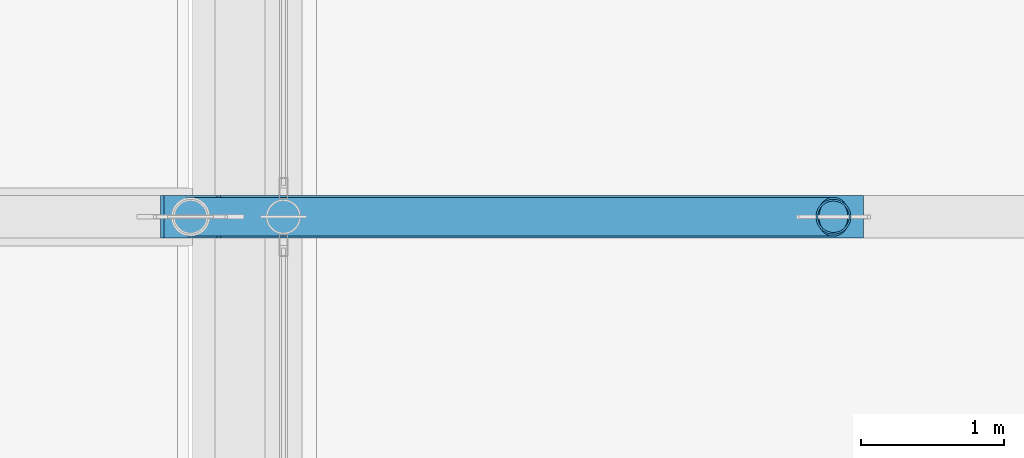
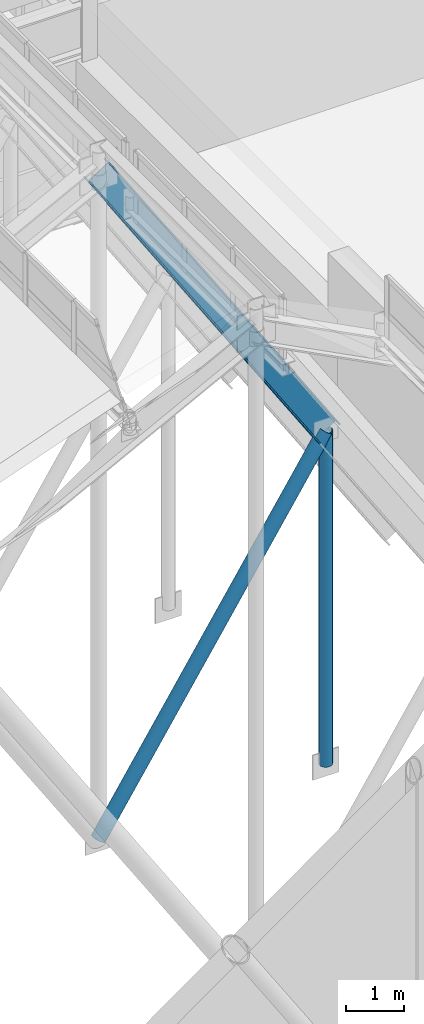
# One storey, part 15 of 84: 3 members.
"""IFC4 building model written with IfcOpenShell, lengths in metres."""

import ifcopenshell
import ifcopenshell.guid

model = None  # the IFC model being written
_history = None  # IfcOwnerHistory: only IFC2X3 demands one
_inside = {}  # id of a spatial element -> (the spatial element, [elements in it])
_under = {}  # id of a project, library or spatial element -> (it, [spatial elements below it])
_declared = {}  # id of a project -> (the project, [libraries it declares])
_typed = {}  # id of a type object -> (the type object, [elements of that type])
_made_of = {}  # id of a material, layer set ... -> (it, [elements and type objects made of it])


def new_model(schema):
    """Start an empty IFC model of exactly this schema.

    Asked for "IFC4X3", IfcOpenShell would pick the latest addendum, in which some entities
    have other attributes; the version numbers below select the first issue.
    IFC2X3 requires an IfcOwnerHistory on every rooted entity: one is made here for all.
    """
    global model, _history
    if schema == "IFC4X3":
        model = ifcopenshell.file(schema_version=(4, 3, 0, 0))
    else:
        model = ifcopenshell.file(schema=schema)
    _inside.clear()
    _under.clear()
    _declared.clear()
    _typed.clear()
    _made_of.clear()
    _history = None
    if model.schema == "IFC2X3":
        org = make("IfcOrganization", Name="unknown")
        user = make(
            "IfcPersonAndOrganization",
            ThePerson=make("IfcPerson", FamilyName="unknown"),
            TheOrganization=org,
        )
        app = make(
            "IfcApplication",
            ApplicationDeveloper=org,
            Version="unknown",
            ApplicationFullName="unknown",
            ApplicationIdentifier="unknown",
        )
        _history = make(
            "IfcOwnerHistory",
            OwningUser=user,
            OwningApplication=app,
            ChangeAction="ADDED",
            CreationDate=0,
        )
    return model


def make(cls, **values):
    """One entity of the class cls with the attributes given. An attribute that is None is left unset."""
    return model.create_entity(
        cls, **{name: value for name, value in values.items() if value is not None}
    )


def rooted(cls, **values):
    """An entity with a GlobalId (a new one), such as an element, a storey or a relation."""
    return make(cls, GlobalId=ifcopenshell.guid.new(), OwnerHistory=_history, **values)


def si_unit(unit_type, name, prefix=None):
    """IfcSIUnit, for example si_unit("LENGTHUNIT", "METRE", prefix="MILLI")."""
    return make("IfcSIUnit", UnitType=unit_type, Prefix=prefix, Name=name)


def assignment(units):
    """IfcUnitAssignment: the units of a project."""
    return None if units is None else make("IfcUnitAssignment", Units=units)


def point(xyz):
    """IfcCartesianPoint."""
    return None if xyz is None else make("IfcCartesianPoint", Coordinates=xyz)


def direction(xyz):
    """IfcDirection."""
    return None if xyz is None else make("IfcDirection", DirectionRatios=xyz)


def frame(location, z_axis=None, x_axis=None):
    """IfcAxis2Placement3D, a coordinate frame: its origin and axes. An axis left out is left unset."""
    return make(
        "IfcAxis2Placement3D",
        Location=point(location),
        Axis=direction(z_axis),
        RefDirection=direction(x_axis),
    )


def frame_2d(location, x_axis=None):
    """IfcAxis2Placement2D, a coordinate frame in the plane: its origin and x axis."""
    return make(
        "IfcAxis2Placement2D", Location=point(location), RefDirection=direction(x_axis)
    )


def origin():
    """The frame at (0, 0, 0) with its axes left unset."""
    return frame((0.0, 0.0, 0.0))


def origin_2d():
    """The frame at (0, 0) in the plane with its x axis left unset."""
    return frame_2d((0.0, 0.0))


def place(relative_to, where):
    """IfcLocalPlacement: puts the frame where relative to a parent placement (None: the world)."""
    return make(
        "IfcLocalPlacement", PlacementRelTo=relative_to, RelativePlacement=where
    )


def context(
    kind, dimensions, precision=None, world=None, true_north=None, identifier=None
):
    """IfcGeometricRepresentationContext, for example the 3D "Model" context."""
    return make(
        "IfcGeometricRepresentationContext",
        ContextIdentifier=identifier,
        ContextType=kind,
        CoordinateSpaceDimension=dimensions,
        Precision=precision,
        WorldCoordinateSystem=world,
        TrueNorth=true_north,
    )


def subcontext(parent, identifier, kind, view, scale=None):
    """IfcGeometricRepresentationSubContext, for example "Body" below "Model"."""
    return make(
        "IfcGeometricRepresentationSubContext",
        ContextIdentifier=identifier,
        ContextType=kind,
        ParentContext=parent,
        TargetScale=scale,
        TargetView=view,
    )


def project(units=None, contexts=None):
    """IfcProject with its units and contexts."""
    return rooted(
        "IfcProject",
        Name="project",
        RepresentationContexts=contexts,
        UnitsInContext=assignment(units),
    )


def spatial(cls, under=None, at=None, **own):
    """A site, building, storey or space (cls), placed at a placement, below another one or the project."""
    s = rooted(cls, ObjectPlacement=at, **own)
    if under is not None:
        _under.setdefault(under.id(), (under, []))[1].append(s)
    return s


def profile(cls, at=None, kind="AREA", **sizes):
    """A parametric profile (cls). Its sizes go by their IFC names, for example OverallWidth=200.0."""
    return make(cls, ProfileType=kind, Position=at, **sizes)


def hollow_circle(**sizes):
    """IfcCircleHollowProfileDef."""
    return profile("IfcCircleHollowProfileDef", **sizes)


def i_section(**sizes):
    """IfcIShapeProfileDef."""
    return profile("IfcIShapeProfileDef", **sizes)


def extrude(swept, where, along, depth):
    """IfcExtrudedAreaSolid: the profile swept, set in the frame where, extruded along a direction by depth."""
    return make(
        "IfcExtrudedAreaSolid",
        SweptArea=swept,
        Position=where,
        ExtrudedDirection=direction(along),
        Depth=depth,
    )


def shape(context_of_items, identifier, shape_type, items):
    """IfcShapeRepresentation: the items that make up one representation, for example the "Body"."""
    return make(
        "IfcShapeRepresentation",
        ContextOfItems=context_of_items,
        RepresentationIdentifier=identifier,
        RepresentationType=shape_type,
        Items=items,
    )


def material(Name=None, Category=None):
    """IfcMaterial."""
    return make("IfcMaterial", Name=Name, Category=Category)


def material_profile(
    of_material, cross_section, Name=None, Category=None, Priority=None
):
    """IfcMaterialProfile: a cross section and its material."""
    return make(
        "IfcMaterialProfile",
        Name=Name,
        Material=of_material,
        Profile=cross_section,
        Priority=Priority,
        Category=Category,
    )


def profile_set(profiles, Name=None, composite=None):
    """IfcMaterialProfileSet."""
    return make(
        "IfcMaterialProfileSet",
        Name=Name,
        MaterialProfiles=profiles,
        CompositeProfile=composite,
    )


def made_of(thing, what):
    """Note that an element or type object is made of a material, layer set ...; save() writes the relation."""
    if what is not None:
        _made_of.setdefault(what.id(), (what, []))[1].append(thing)
    return thing


def type_object(cls, material=None, **own):
    """A type object (cls), such as IfcWallType, which elements share."""
    return made_of(rooted(cls, **own), material)


def element(
    cls,
    number,
    at=None,
    inside=None,
    cuts=None,
    type_object=None,
    material=None,
    context=None,
    identifier="Body",
    shape_type=None,
    held_by="IfcProductDefinitionShape",
    body=None,
    shapes=None,
    **own,
):
    """One element of the class cls, such as IfcWall. Its Tag is "e" and its number.

    at: its placement. inside: the storey or other place that contains it. cuts: it is an
    opening in that element (IfcRelVoidsElement). A single representation is given by context,
    identifier, shape_type and body (its items); several are given by shapes. held_by: the class
    of the entity that holds the representations. save() writes the other relations.
    """
    e = rooted(cls, Tag="e%d" % number, ObjectPlacement=at, **own)
    if body is not None:
        shapes = [shape(context, identifier, shape_type, body)]
    if shapes is not None:
        e.Representation = make(held_by, Representations=shapes)
    if inside is not None:
        _inside.setdefault(inside.id(), (inside, []))[1].append(e)
    if cuts is not None:
        rooted(
            "IfcRelVoidsElement", RelatingBuildingElement=cuts, RelatedOpeningElement=e
        )
    if type_object is not None:
        _typed.setdefault(type_object.id(), (type_object, []))[1].append(e)
    return made_of(e, material)


def aggregate(whole, parts):
    """IfcRelAggregates: a whole, such as a stair, and the parts it consists of."""
    return rooted("IfcRelAggregates", RelatingObject=whole, RelatedObjects=parts)


def save(model, path):
    """Write the relations noted so far, then the file.

    IfcRelAggregates (storeys below a building ...), IfcRelContainedInSpatialStructure (elements
    in a storey), IfcRelDefinesByType, IfcRelAssociatesMaterial and IfcRelDeclares: one each for
    every whole, place, type object, material and project.
    """
    for whole, parts in _under.values():
        aggregate(whole, parts)
    for where, things in _inside.values():
        rooted(
            "IfcRelContainedInSpatialStructure",
            RelatedElements=things,
            RelatingStructure=where,
        )
    for kind, things in _typed.values():
        rooted("IfcRelDefinesByType", RelatedObjects=things, RelatingType=kind)
    for what, things in _made_of.values():
        rooted("IfcRelAssociatesMaterial", RelatedObjects=things, RelatingMaterial=what)
    for by, libraries in _declared.values():
        rooted("IfcRelDeclares", RelatingContext=by, RelatedDefinitions=libraries)
    model.write(path)


model = new_model("IFC4")

# Units and contexts
model_context = context("Model", 3, precision=1e-05, world=origin(), true_north=direction((0.0, 1.0)))
body_context = subcontext(model_context, "Body", "Model", "MODEL_VIEW")
ifc_project = project(units=[si_unit("LENGTHUNIT", "METRE"), si_unit("AREAUNIT", "SQUARE_METRE"), si_unit("VOLUMEUNIT", "CUBIC_METRE"), si_unit("PLANEANGLEUNIT", "RADIAN"), si_unit("MASSUNIT", "GRAM", prefix="KILO")], contexts=[model_context])

# Site, building, storey
site_placement = place(None, origin())
site = spatial("IfcSite", under=ifc_project, at=site_placement, CompositionType="ELEMENT")
building_placement = place(site_placement, origin())
building = spatial("IfcBuilding", under=site, at=building_placement, Name="Sundgate Opera House", CompositionType="ELEMENT")
storey_placement = place(building_placement, frame((0.0, 0.0, 30.60009765625)))
storey = spatial("IfcBuildingStorey", under=building, at=storey_placement, Name="L06", CompositionType="ELEMENT", Elevation=30.60009765625)

# Members
ifc_material_1 = material(Name="Steel S355J2", Category="steel")
ifc_material_profile_1 = material_profile(ifc_material_1, i_section(OverallWidth=0.300048828125, OverallDepth=0.5, WebThickness=0.014404296875, FlangeThickness=0.028076171875, at=origin_2d()), Name="HEB 500")
ifc_profile_set_1 = profile_set([ifc_material_profile_1], Name="Steel S355J2")
member_type_1 = type_object("IfcMemberType", Name="MB-CHORD-HEB500", PredefinedType="CHORD", material=ifc_profile_set_1)
member_1_placement = place(storey_placement, frame((54.0, 43.800048828125, 13.199951171875), z_axis=(0.541853645841, 0.0, -0.840472858865), x_axis=(0.0, 1.0, 0.0)))
element("IfcMember", 1, at=member_1_placement, inside=storey, type_object=member_type_1, Name="L06 Auditorium Truss Top Chord M0082", PredefinedType="CHORD", context=body_context, shape_type="SweptSolid", body=[
    extrude(i_section(OverallWidth=0.300048828125, OverallDepth=0.5, WebThickness=0.014404296875, FlangeThickness=0.028076171875, at=origin_2d()), origin(), (0.0, 0.0, 1.0), 8.304931640625),
])
ifc_material_2 = material(Name="Steel S355J2", Category="steel")
ifc_material_profile_2 = material_profile(ifc_material_2, hollow_circle(Radius=0.122314453125, WallThickness=0.012451171875, at=origin_2d()), Name="CHS 244.5x12.5")
ifc_profile_set_2 = profile_set([ifc_material_profile_2], Name="Steel S355J2")
member_type_2 = type_object("IfcMemberType", Name="MB-STRUT-CHS244", PredefinedType="STRUT", material=ifc_profile_set_2)
member_2_placement = place(storey_placement, frame((58.5, 43.800048828125, -0.760009765625), z_axis=(0.0, 0.0, 1.0), x_axis=(1.0, 0.0, 0.0)))
element("IfcMember", 2, at=member_2_placement, inside=storey, type_object=member_type_2, Name="L06 Auditorium Truss Vertical Post M0089", PredefinedType="STRUT", context=body_context, shape_type="SweptSolid", body=[
    extrude(hollow_circle(Radius=0.122314453125, WallThickness=0.012451171875, at=origin_2d()), origin(), (0.0, 0.0, 1.0), 6.97998046875),
])
ifc_material_3 = material(Name="Steel S355J2", Category="steel")
ifc_material_profile_3 = material_profile(ifc_material_3, hollow_circle(Radius=0.136474609375, WallThickness=0.01611328125, at=origin_2d()), Name="CHS 273.0x16.0")
ifc_profile_set_3 = profile_set([ifc_material_profile_3], Name="Steel S355J2")
member_type_3 = type_object("IfcMemberType", Name="MB-STRUT-CHS273", PredefinedType="STRUT", material=ifc_profile_set_3)
member_3_placement = place(storey_placement, frame((54.0, 43.800048828125, -0.760009765625), z_axis=(0.541853645841, 0.0, 0.840472858865), x_axis=(0.0, 1.0, 0.0)))
element("IfcMember", 3, at=member_3_placement, inside=storey, type_object=member_type_3, Name="L06 Auditorium Warren Web Strut M0083", PredefinedType="STRUT", context=body_context, shape_type="SweptSolid", body=[
    extrude(hollow_circle(Radius=0.136474609375, WallThickness=0.01611328125, at=origin_2d()), origin(), (0.0, 0.0, 1.0), 8.304931640625),
])

save(model, "model.ifc")
